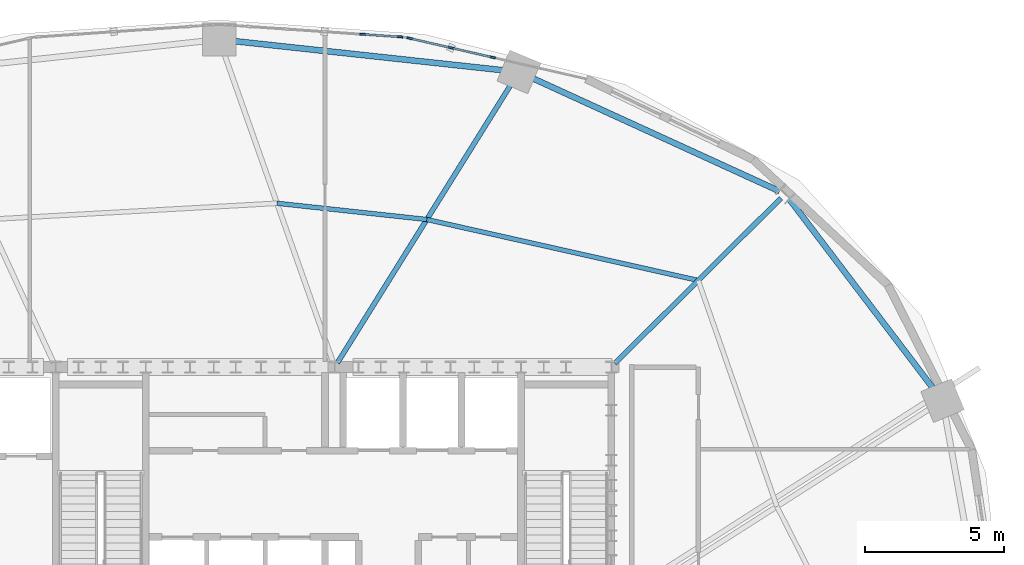
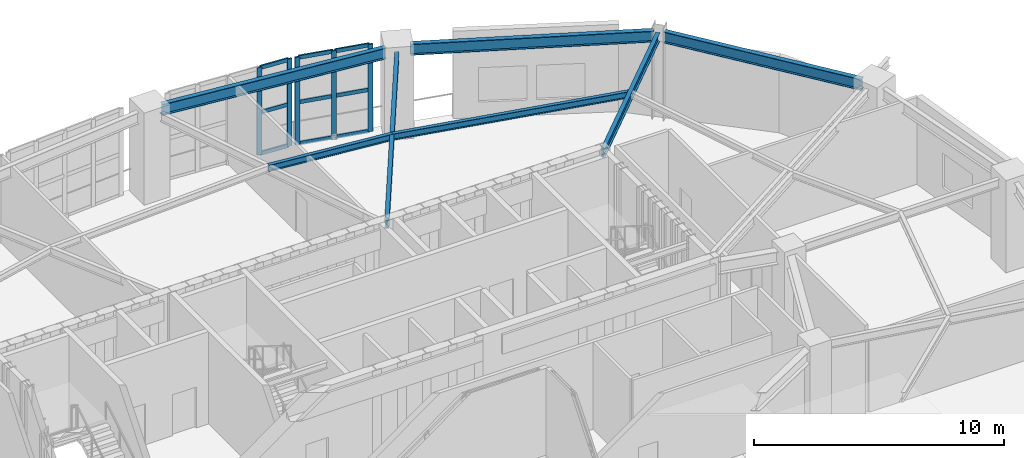
# One storey, part 8 of 16: 14 members, 7 beams, 2 elements without a shape of their own.
"""IFC4 building model written with IfcOpenShell, lengths in metres."""

from ifc_helpers import new_model, si_unit, direction, frame, origin, origin_2d, place, context, subcontext, project, spatial, rectangle, i_section, extrude, material, material_profile, profile_set, type_object, element, aggregate, save


model = new_model("IFC4")

# Units and contexts
model_context = context("Model", 3, precision=1e-05, world=origin(), true_north=direction((0.0, 1.0)))
body_context = subcontext(model_context, "Body", "Model", "MODEL_VIEW")
ifc_project = project(units=[si_unit("LENGTHUNIT", "METRE"), si_unit("AREAUNIT", "SQUARE_METRE"), si_unit("VOLUMEUNIT", "CUBIC_METRE"), si_unit("PLANEANGLEUNIT", "RADIAN"), si_unit("MASSUNIT", "GRAM", prefix="KILO")], contexts=[model_context])

# Site, building, storey
site_placement = place(None, origin())
site = spatial("IfcSite", under=ifc_project, at=site_placement, CompositionType="ELEMENT")
building_placement = place(site_placement, origin())
building = spatial("IfcBuilding", under=site, at=building_placement, Name="Haldorwick Loom Tower", CompositionType="ELEMENT")
storey_placement = place(building_placement, frame((0.0, 0.0, 200.35009765625)))
storey = spatial("IfcBuildingStorey", under=building, at=storey_placement, Name="L54", CompositionType="ELEMENT", Elevation=200.35009765625)

# Curtain wall, members
ifc_material_1 = material(Name="Thermally Broken Anodized Aluminium Curtain Wall Framing", Category="aluminium")
curtain_wall_type = type_object("IfcCurtainWallType", Name="ARC-CW-04", PredefinedType="NOTDEFINED", material=ifc_material_1)
curtain_wall_1_placement = place(storey_placement, origin())
curtain_wall_1 = element("IfcCurtainWall", 1, at=curtain_wall_1_placement, inside=storey, type_object=curtain_wall_type, Name="L54 Facade Curtain Wall CW-04 Bay 5", PredefinedType="NOTDEFINED")
ifc_material_profile_1 = material_profile(ifc_material_1, rectangle(XDim=0.072021484375, YDim=0.205078125, at=origin_2d()), Name="ALU_MUL_72X205", Category="aluminium")
ifc_profile_set_1 = profile_set([ifc_material_profile_1], Name="Thermally Broken Anodized Aluminium Curtain Wall Framing")
member_type_1 = type_object("IfcMemberType", Name="ARC-CWM-04", PredefinedType="MULLION", material=ifc_profile_set_1)
member_1_placement = place(storey_placement, frame((45.810791015625, 46.663818359375, 0.0), z_axis=(0.0, 0.0, 1.0), x_axis=(-0.224141611493, -0.974556585323, 0.0)))
member_1 = element("IfcMember", 2, at=member_1_placement, type_object=member_type_1, Name="CW-04 mullion 1", PredefinedType="MULLION", context=body_context, shape_type="SweptSolid", body=[
    extrude(rectangle(XDim=0.072021484375, YDim=0.205078125, at=origin_2d()), origin(), (0.0, 0.0, 1.0), 4.260009765625),
])
member_2_placement = place(storey_placement, frame((44.32373046875, 47.005859375, 0.0), z_axis=(0.0, 0.0, 1.0), x_axis=(-0.224141611493, -0.974556585323, 0.0)))
member_2 = element("IfcMember", 3, at=member_2_placement, type_object=member_type_1, Name="CW-04 mullion 2", PredefinedType="MULLION", context=body_context, shape_type="SweptSolid", body=[
    extrude(rectangle(XDim=0.072021484375, YDim=0.205078125, at=origin_2d()), origin(), (0.0, 0.0, 1.0), 4.260009765625),
])
member_3_placement = place(storey_placement, frame((42.8369140625, 47.34765625, 0.0), z_axis=(0.0, 0.0, 1.0), x_axis=(-0.224141611493, -0.974556585323, 0.0)))
member_3 = element("IfcMember", 4, at=member_3_placement, type_object=member_type_1, Name="CW-04 mullion 3", PredefinedType="MULLION", context=body_context, shape_type="SweptSolid", body=[
    extrude(rectangle(XDim=0.072021484375, YDim=0.205078125, at=origin_2d()), origin(), (0.0, 0.0, 1.0), 4.260009765625),
])

curtain_wall_2_placement = place(storey_placement, origin())
curtain_wall_2 = element("IfcCurtainWall", 5, at=curtain_wall_2_placement, inside=storey, type_object=curtain_wall_type, Name="L54 Facade Curtain Wall CW-04 Bay 6", PredefinedType="NOTDEFINED")
member_4_placement = place(storey_placement, frame((42.48974609375, 47.399169921875, 0.0), z_axis=(0.0, 0.0, 1.0), x_axis=(-0.068513392431, -0.997650196741, 0.0)))
member_4 = element("IfcMember", 6, at=member_4_placement, type_object=member_type_1, Name="CW-04 mullion 1", PredefinedType="MULLION", context=body_context, shape_type="SweptSolid", body=[
    extrude(rectangle(XDim=0.072021484375, YDim=0.205078125, at=origin_2d()), origin(), (0.0, 0.0, 1.0), 4.260009765625),
])
member_5_placement = place(storey_placement, frame((41.15283203125, 47.490966796875, 0.0), z_axis=(0.0, 0.0, 1.0), x_axis=(-0.068513392431, -0.997650196741, 0.0)))
member_5 = element("IfcMember", 7, at=member_5_placement, type_object=member_type_1, Name="CW-04 mullion 2", PredefinedType="MULLION", context=body_context, shape_type="SweptSolid", body=[
    extrude(rectangle(XDim=0.072021484375, YDim=0.205078125, at=origin_2d()), origin(), (0.0, 0.0, 1.0), 4.260009765625),
])

# Member
ifc_material_profile_2 = material_profile(ifc_material_1, rectangle(XDim=0.072021484375, YDim=0.18505859375, at=origin_2d()), Name="ALU_TRN_72X185", Category="aluminium")
ifc_profile_set_2 = profile_set([ifc_material_profile_2], Name="Thermally Broken Anodized Aluminium Curtain Wall Framing")
member_type_2 = type_object("IfcMemberType", Name="ARC-CWT-04", PredefinedType="USERDEFINED", material=ifc_profile_set_2)
member_6_placement = place(storey_placement, frame((45.775634765625, 46.671875, 0.035888671875), z_axis=(-0.974543812985, 0.224197137745, 0.0), x_axis=(-0.224197137745, -0.974543812985, 0.0)))
member_6 = element("IfcMember", 8, at=member_6_placement, type_object=member_type_2, Name="CW-04 transom 1.1", ObjectType="TRANSOM", PredefinedType="USERDEFINED", context=body_context, shape_type="SweptSolid", body=[
    extrude(rectangle(XDim=0.072021484375, YDim=0.18505859375, at=origin_2d()), origin(), (0.0, 0.0, 1.0), 1.453857421875),
])

member_7_placement = place(storey_placement, frame((45.775634765625, 46.671875, 2.0498046875), z_axis=(-0.974543812985, 0.224197137745, 0.0), x_axis=(-0.224197137745, -0.974543812985, 0.0)))
member_7 = element("IfcMember", 9, at=member_7_placement, type_object=member_type_2, Name="CW-04 transom 1.2", ObjectType="TRANSOM", PredefinedType="USERDEFINED", context=body_context, shape_type="SweptSolid", body=[
    extrude(rectangle(XDim=0.072021484375, YDim=0.18505859375, at=origin_2d()), origin(), (0.0, 0.0, 1.0), 1.453857421875),
])

member_8_placement = place(storey_placement, frame((45.775634765625, 46.671875, 4.223876953125), z_axis=(-0.974543812985, 0.224197137745, 0.0), x_axis=(-0.224197137745, -0.974543812985, 0.0)))
member_8 = element("IfcMember", 10, at=member_8_placement, type_object=member_type_2, Name="CW-04 transom 1.3", ObjectType="TRANSOM", PredefinedType="USERDEFINED", context=body_context, shape_type="SweptSolid", body=[
    extrude(rectangle(XDim=0.072021484375, YDim=0.18505859375, at=origin_2d()), origin(), (0.0, 0.0, 1.0), 1.453857421875),
])

member_9_placement = place(storey_placement, frame((44.288818359375, 47.013916015625, 0.035888671875), z_axis=(-0.97458049406, 0.2240376321, 0.0), x_axis=(-0.2240376321, -0.97458049406, 0.0)))
member_9 = element("IfcMember", 11, at=member_9_placement, type_object=member_type_2, Name="CW-04 transom 2.1", ObjectType="TRANSOM", PredefinedType="USERDEFINED", context=body_context, shape_type="SweptSolid", body=[
    extrude(rectangle(XDim=0.072021484375, YDim=0.18505859375, at=origin_2d()), origin(), (0.0, 0.0, 1.0), 1.45361328125),
])

member_10_placement = place(storey_placement, frame((44.288818359375, 47.013916015625, 2.0498046875), z_axis=(-0.97458049406, 0.2240376321, 0.0), x_axis=(-0.2240376321, -0.97458049406, 0.0)))
member_10 = element("IfcMember", 12, at=member_10_placement, type_object=member_type_2, Name="CW-04 transom 2.2", ObjectType="TRANSOM", PredefinedType="USERDEFINED", context=body_context, shape_type="SweptSolid", body=[
    extrude(rectangle(XDim=0.072021484375, YDim=0.18505859375, at=origin_2d()), origin(), (0.0, 0.0, 1.0), 1.45361328125),
])

member_11_placement = place(storey_placement, frame((44.288818359375, 47.013916015625, 4.223876953125), z_axis=(-0.97458049406, 0.2240376321, 0.0), x_axis=(-0.2240376321, -0.97458049406, 0.0)))
member_11 = element("IfcMember", 13, at=member_11_placement, type_object=member_type_2, Name="CW-04 transom 2.3", ObjectType="TRANSOM", PredefinedType="USERDEFINED", context=body_context, shape_type="SweptSolid", body=[
    extrude(rectangle(XDim=0.072021484375, YDim=0.18505859375, at=origin_2d()), origin(), (0.0, 0.0, 1.0), 1.45361328125),
])

aggregate(curtain_wall_1, [member_1, member_2, member_3, member_6, member_7, member_8, member_9, member_10, member_11])

member_12_placement = place(storey_placement, frame((42.453857421875, 47.401611328125, 0.035888671875), z_axis=(-0.997648520341, 0.068537798773, 0.0), x_axis=(-0.068537798773, -0.997648520341, 0.0)))
member_12 = element("IfcMember", 14, at=member_12_placement, type_object=member_type_2, Name="CW-04 transom 1.1", ObjectType="TRANSOM", PredefinedType="USERDEFINED", context=body_context, shape_type="SweptSolid", body=[
    extrude(rectangle(XDim=0.072021484375, YDim=0.18505859375, at=origin_2d()), origin(), (0.0, 0.0, 1.0), 1.26806640625),
])

member_13_placement = place(storey_placement, frame((42.453857421875, 47.401611328125, 2.0498046875), z_axis=(-0.997648520341, 0.068537798773, 0.0), x_axis=(-0.068537798773, -0.997648520341, 0.0)))
member_13 = element("IfcMember", 15, at=member_13_placement, type_object=member_type_2, Name="CW-04 transom 1.2", ObjectType="TRANSOM", PredefinedType="USERDEFINED", context=body_context, shape_type="SweptSolid", body=[
    extrude(rectangle(XDim=0.072021484375, YDim=0.18505859375, at=origin_2d()), origin(), (0.0, 0.0, 1.0), 1.26806640625),
])

member_14_placement = place(storey_placement, frame((42.453857421875, 47.401611328125, 4.223876953125), z_axis=(-0.997648520341, 0.068537798773, 0.0), x_axis=(-0.068537798773, -0.997648520341, 0.0)))
member_14 = element("IfcMember", 16, at=member_14_placement, type_object=member_type_2, Name="CW-04 transom 1.3", ObjectType="TRANSOM", PredefinedType="USERDEFINED", context=body_context, shape_type="SweptSolid", body=[
    extrude(rectangle(XDim=0.072021484375, YDim=0.18505859375, at=origin_2d()), origin(), (0.0, 0.0, 1.0), 1.26806640625),
])

aggregate(curtain_wall_2, [member_4, member_5, member_12, member_13, member_14])

# Beams
ifc_material_2 = material(Name="Steel CSA G40.21 350W", Category="steel")
ifc_material_profile_3 = material_profile(ifc_material_2, i_section(OverallWidth=0.166015625, OverallDepth=0.31298828125, WebThickness=0.006591796875, FlangeThickness=0.01123046875, at=origin_2d()), Name="W310X45", Category="steel")
ifc_profile_set_3 = profile_set([ifc_material_profile_3], Name="Steel CSA G40.21 350W")
beam_type_1 = type_object("IfcBeamType", Name="STR-BM-J310", PredefinedType="JOIST", material=ifc_profile_set_3)
beam_1_placement = place(storey_placement, frame((53.19384765625, 38.657470703125, 4.103515625), z_axis=(-0.975700785876, 0.219107225898, 0.0), x_axis=(-0.219107225898, -0.975700785876, 0.0)))
element("IfcBeam", 17, at=beam_1_placement, inside=storey, type_object=beam_type_1, Name="L54 Mid-Bay Secondary Joist 3", PredefinedType="JOIST", context=body_context, shape_type="SweptSolid", body=[
    extrude(i_section(OverallWidth=0.166015625, OverallDepth=0.31298828125, WebThickness=0.006591796875, FlangeThickness=0.01123046875, at=origin_2d()), origin(), (0.0, 0.0, 1.0), 9.98486328125),
])
beam_2_placement = place(storey_placement, frame((43.45166015625, 40.84521484375, 4.103515625), z_axis=(-0.994187082722, 0.107666357549, 0.0), x_axis=(-0.107666357549, -0.994187082722, 0.0)))
element("IfcBeam", 18, at=beam_2_placement, inside=storey, type_object=beam_type_1, Name="L54 Mid-Bay Secondary Joist 4", PredefinedType="JOIST", context=body_context, shape_type="SweptSolid", body=[
    extrude(i_section(OverallWidth=0.166015625, OverallDepth=0.31298828125, WebThickness=0.006591796875, FlangeThickness=0.01123046875, at=origin_2d()), origin(), (0.0, 0.0, 1.0), 5.408203125),
])
ifc_material_profile_4 = material_profile(ifc_material_2, i_section(OverallWidth=0.179931640625, OverallDepth=0.4130859375, WebThickness=0.009765625, FlangeThickness=0.01611328125, at=origin_2d()), Name="W410X74", Category="steel")
ifc_profile_set_4 = profile_set([ifc_material_profile_4], Name="Steel CSA G40.21 350W")
beam_type_2 = type_object("IfcBeamType", Name="STR-BM-J410", PredefinedType="JOIST", material=ifc_profile_set_4)
beam_3_placement = place(storey_placement, frame((50.1962890625, 35.675537109375, 4.053466796875), z_axis=(0.708962390492, 0.70524628951, 0.0), x_axis=(-0.70524628951, 0.708962390492, 0.0)))
element("IfcBeam", 19, at=beam_3_placement, inside=storey, type_object=beam_type_2, Name="L54 Radial Floor Girder 3", PredefinedType="JOIST", context=body_context, shape_type="SweptSolid", body=[
    extrude(i_section(OverallWidth=0.179931640625, OverallDepth=0.4130859375, WebThickness=0.009765625, FlangeThickness=0.01611328125, at=origin_2d()), origin(), (0.0, 0.0, 1.0), 8.409423828125),
])
beam_4_placement = place(storey_placement, frame((40.244140625, 35.700927734375, 4.053466796875), z_axis=(0.529095323143, 0.848562395483, 0.0), x_axis=(-0.848562395483, 0.529095323143, 0.0)))
element("IfcBeam", 20, at=beam_4_placement, inside=storey, type_object=beam_type_2, Name="L54 Radial Floor Girder 4", PredefinedType="JOIST", context=body_context, shape_type="SweptSolid", body=[
    extrude(i_section(OverallWidth=0.179931640625, OverallDepth=0.4130859375, WebThickness=0.009765625, FlangeThickness=0.01611328125, at=origin_2d()), origin(), (0.0, 0.0, 1.0), 11.78271484375),
])
ifc_material_profile_5 = material_profile(ifc_material_2, i_section(OverallWidth=0.2119140625, OverallDepth=0.5439453125, WebThickness=0.01318359375, FlangeThickness=0.021240234375, at=origin_2d()), Name="W530X123", Category="steel")
ifc_profile_set_5 = profile_set([ifc_material_profile_5], Name="Steel CSA G40.21 350W")
beam_type_3 = type_object("IfcBeamType", Name="STR-BM-SP530", PredefinedType="SPANDREL", material=ifc_profile_set_5)
beam_5_placement = place(storey_placement, frame((61.646240234375, 34.75634765625, 3.98779296875), z_axis=(-0.605236944797, 0.796045376001, 0.0), x_axis=(-0.796045376001, -0.605236944797, 0.0)))
element("IfcBeam", 21, at=beam_5_placement, inside=storey, type_object=beam_type_3, Name="L54 Perimeter Spandrel 2", PredefinedType="SPANDREL", context=body_context, shape_type="SweptSolid", body=[
    extrude(i_section(OverallWidth=0.2119140625, OverallDepth=0.5439453125, WebThickness=0.01318359375, FlangeThickness=0.021240234375, at=origin_2d()), origin(), (0.0, 0.0, 1.0), 8.5791015625),
])
beam_6_placement = place(storey_placement, frame((56.113037109375, 41.8583984375, 3.98779296875), z_axis=(-0.909342182232, 0.416049030299, 0.0), x_axis=(-0.416049030299, -0.909342182232, 0.0)))
element("IfcBeam", 22, at=beam_6_placement, inside=storey, type_object=beam_type_3, Name="L54 Perimeter Spandrel 3", PredefinedType="SPANDREL", context=body_context, shape_type="SweptSolid", body=[
    extrude(i_section(OverallWidth=0.2119140625, OverallDepth=0.5439453125, WebThickness=0.01318359375, FlangeThickness=0.021240234375, at=origin_2d()), origin(), (0.0, 0.0, 1.0), 9.772705078125),
])
beam_7_placement = place(storey_placement, frame((46.236328125, 46.196533203125, 3.98779296875), z_axis=(-0.994187774205, 0.107659972233, 0.0), x_axis=(-0.107659972233, -0.994187774205, 0.0)))
element("IfcBeam", 23, at=beam_7_placement, inside=storey, type_object=beam_type_3, Name="L54 Perimeter Spandrel 4", PredefinedType="SPANDREL", context=body_context, shape_type="SweptSolid", body=[
    extrude(i_section(OverallWidth=0.2119140625, OverallDepth=0.5439453125, WebThickness=0.01318359375, FlangeThickness=0.021240234375, at=origin_2d()), origin(), (0.0, 0.0, 1.0), 9.776123046875),
])

save(model, "model.ifc")
